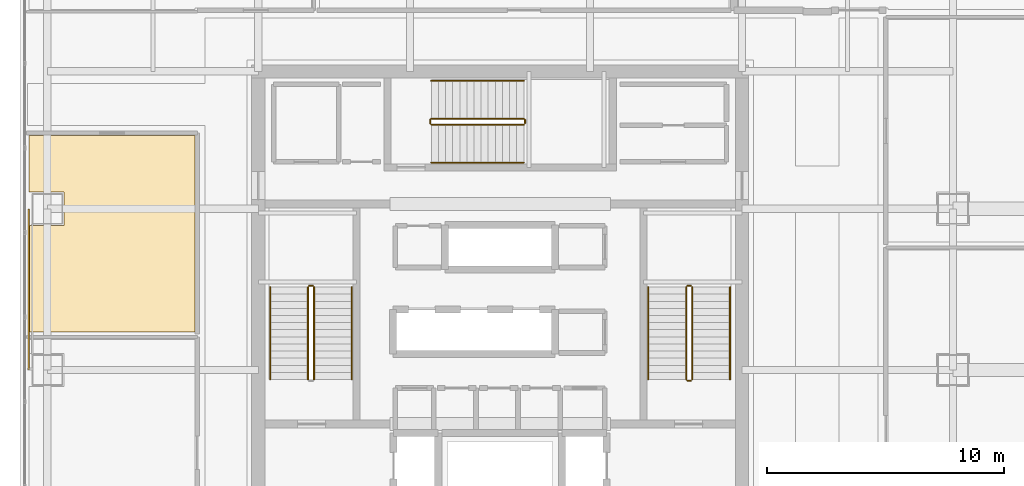
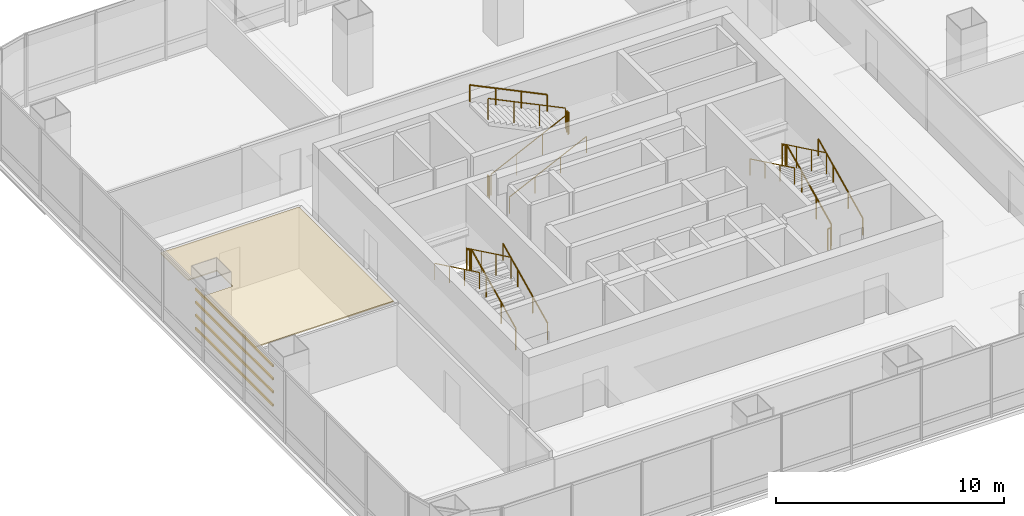
# One storey, part 39 of 40: 17 railings, 4 shading devices, 1 covering.
"""IFC4 building model written with IfcOpenShell, lengths in metres."""

from ifc_helpers import new_model, si_unit, direction, frame, origin, origin_2d, place, context, subcontext, project, spatial, polyline, hollow_rectangle, circle, outline, extrude, material, layer, layer_set, material_profile, profile_set, type_object, element, save


model = new_model("IFC4")

# Units and contexts
model_context = context("Model", 3, precision=1e-05, world=origin(), true_north=direction((0.0, 1.0)))
body_context = subcontext(model_context, "Body", "Model", "MODEL_VIEW")
ifc_project = project(units=[si_unit("LENGTHUNIT", "METRE"), si_unit("AREAUNIT", "SQUARE_METRE"), si_unit("VOLUMEUNIT", "CUBIC_METRE"), si_unit("PLANEANGLEUNIT", "RADIAN"), si_unit("MASSUNIT", "GRAM", prefix="KILO")], contexts=[model_context])

# Site, building, storey
site_placement = place(None, origin())
site = spatial("IfcSite", under=ifc_project, at=site_placement, CompositionType="ELEMENT")
building_placement = place(site_placement, origin())
building = spatial("IfcBuilding", under=site, at=building_placement, Name="Punatoya Terracotta Tower", CompositionType="ELEMENT")
storey_placement = place(building_placement, frame((0.0, 0.0, 271.64990234375)))
storey = spatial("IfcBuildingStorey", under=building, at=storey_placement, Name="L64", CompositionType="ELEMENT", Elevation=271.64990234375)

# Covering
ifc_material_1 = material(Name="Acoustic Mineral Fibre Ceiling")
ifc_layer = layer(ifc_material_1, 0.06005859375)
ifc_layer_set = layer_set([ifc_layer], Name="Acoustic Mineral Fibre Ceiling")
covering_type = type_object("IfcCoveringType", Name="COV-CEIL-60", PredefinedType="CEILING", material=ifc_layer_set)
covering_placement = place(storey_placement, frame((0.0, 0.0, 3.239990234375)))
element("IfcCovering", 1, at=covering_placement, inside=storey, type_object=covering_type, Name="L64 Open-Plan Nutrition Tea Pantry Acoustic Ceiling", PredefinedType="CEILING", context=body_context, shape_type="SweptSolid", body=[
    extrude(outline(polyline([(-19.8701171875, 2.699951171875), (-19.8701171875, -1.7900390625), (-12.8701171875, -1.7900390625), (-12.8701171875, 6.5), (-19.8701171875, 6.5), (-19.8701171875, 4.10009765625), (-18.39990234375, 4.10009765625), (-18.39990234375, 2.699951171875), (-19.8701171875, 2.699951171875)])), origin(), (0.0, 0.0, 1.0), 0.06005859375),
])

# Railings
ifc_material_2 = material(Name="Steel S355", Category="steel")
railing_type_1 = type_object("IfcRailingType", Name="RLG-GRD-1150", PredefinedType="GUARDRAIL", material=ifc_material_2)
railing_1_placement = place(storey_placement, frame((-7.85009765625, -3.800048828125, 0.144775390625)))
element("IfcRailing", 2, at=railing_1_placement, inside=storey, type_object=railing_type_1, Name="L64 ST-1 stair guard 1", PredefinedType="GUARDRAIL", context=body_context, shape_type="SweptSolid", body=[
    extrude(circle(Radius=0.02392578125, at=origin_2d()), frame((0.0, 0.0, 1.1259765625), z_axis=(0.0, 0.900773802044, 0.434288564841), x_axis=(-1.0, 0.0, 0.0)), (0.0, 0.0, 1.0), 4.329833984375),
    extrude(circle(Radius=0.02099609375, at=origin_2d()), origin(), (0.0, 0.0, 1.0), 1.101806640625),
    extrude(circle(Radius=0.02099609375, at=origin_2d()), frame((0.0, 1.300048828125, 0.626708984375)), (0.0, 0.0, 1.0), 1.101806640625),
    extrude(circle(Radius=0.02099609375, at=origin_2d()), frame((0.0, 2.60009765625, 1.253662109375)), (0.0, 0.0, 1.0), 1.101806640625),
    extrude(circle(Radius=0.02099609375, at=origin_2d()), frame((0.0, 3.900146484375, 1.88037109375)), (0.0, 0.0, 1.0), 1.101806640625),
])
railing_2_placement = place(storey_placement, frame((-7.89990234375, 0.14990234375, 2.025146484375)))
element("IfcRailing", 3, at=railing_2_placement, inside=storey, type_object=railing_type_1, Name="L64 ST-1 stair guard 2", PredefinedType="GUARDRAIL", context=body_context, shape_type="SweptSolid", body=[
    extrude(circle(Radius=0.02392578125, at=origin_2d()), frame((0.0, 0.0, 1.1259765625), z_axis=(-1.0, 0.0, 0.0), x_axis=(0.0, -1.0, 0.0)), (0.0, 0.0, 1.0), 0.150146484375),
    extrude(circle(Radius=0.02099609375, at=origin_2d()), origin(), (0.0, 0.0, 1.0), 1.101806640625),
    extrude(circle(Radius=0.02099609375, at=origin_2d()), frame((-0.150146484375, 0.0, 0.0)), (0.0, 0.0, 1.0), 1.101806640625),
])
railing_3_placement = place(storey_placement, frame((-8.10009765625, 0.10009765625, 2.169677734375)))
element("IfcRailing", 4, at=railing_3_placement, inside=storey, type_object=railing_type_1, Name="L64 ST-1 stair guard 3", PredefinedType="GUARDRAIL", context=body_context, shape_type="SweptSolid", body=[
    extrude(circle(Radius=0.02392578125, at=origin_2d()), frame((0.0, 0.0, 1.1259765625), z_axis=(0.0, -0.900773802044, 0.434288564841), x_axis=(1.0, 0.0, 0.0)), (0.0, 0.0, 1.0), 4.329833984375),
    extrude(circle(Radius=0.02099609375, at=origin_2d()), origin(), (0.0, 0.0, 1.0), 1.101806640625),
    extrude(circle(Radius=0.02099609375, at=origin_2d()), frame((0.0, -1.300048828125, 0.626708984375)), (0.0, 0.0, 1.0), 1.101806640625),
    extrude(circle(Radius=0.02099609375, at=origin_2d()), frame((0.0, -2.60009765625, 1.253662109375)), (0.0, 0.0, 1.0), 1.101806640625),
    extrude(circle(Radius=0.02099609375, at=origin_2d()), frame((0.0, -3.900146484375, 1.88037109375)), (0.0, 0.0, 1.0), 1.101806640625),
])
railing_4_placement = place(storey_placement, frame((8.10009765625, -3.800048828125, 0.144775390625)))
element("IfcRailing", 5, at=railing_4_placement, inside=storey, type_object=railing_type_1, Name="L64 ST-2 stair guard 1", PredefinedType="GUARDRAIL", context=body_context, shape_type="SweptSolid", body=[
    extrude(circle(Radius=0.02392578125, at=origin_2d()), frame((0.0, 0.0, 1.1259765625), z_axis=(0.0, 0.900773802044, 0.434288564841), x_axis=(-1.0, 0.0, 0.0)), (0.0, 0.0, 1.0), 4.329833984375),
    extrude(circle(Radius=0.02099609375, at=origin_2d()), origin(), (0.0, 0.0, 1.0), 1.101806640625),
    extrude(circle(Radius=0.02099609375, at=origin_2d()), frame((0.0, 1.300048828125, 0.626708984375)), (0.0, 0.0, 1.0), 1.101806640625),
    extrude(circle(Radius=0.02099609375, at=origin_2d()), frame((0.0, 2.60009765625, 1.253662109375)), (0.0, 0.0, 1.0), 1.101806640625),
    extrude(circle(Radius=0.02099609375, at=origin_2d()), frame((0.0, 3.900146484375, 1.88037109375)), (0.0, 0.0, 1.0), 1.101806640625),
])
railing_5_placement = place(storey_placement, frame((8.050048828125, 0.14990234375, 2.025146484375)))
element("IfcRailing", 6, at=railing_5_placement, inside=storey, type_object=railing_type_1, Name="L64 ST-2 stair guard 2", PredefinedType="GUARDRAIL", context=body_context, shape_type="SweptSolid", body=[
    extrude(circle(Radius=0.02392578125, at=origin_2d()), frame((0.0, 0.0, 1.1259765625), z_axis=(-1.0, 0.0, 0.0), x_axis=(0.0, -1.0, 0.0)), (0.0, 0.0, 1.0), 0.150146484375),
    extrude(circle(Radius=0.02099609375, at=origin_2d()), origin(), (0.0, 0.0, 1.0), 1.101806640625),
    extrude(circle(Radius=0.02099609375, at=origin_2d()), frame((-0.150146484375, 0.0, 0.0)), (0.0, 0.0, 1.0), 1.101806640625),
])
railing_6_placement = place(storey_placement, frame((7.85009765625, 0.10009765625, 2.169677734375)))
element("IfcRailing", 7, at=railing_6_placement, inside=storey, type_object=railing_type_1, Name="L64 ST-2 stair guard 3", PredefinedType="GUARDRAIL", context=body_context, shape_type="SweptSolid", body=[
    extrude(circle(Radius=0.02392578125, at=origin_2d()), frame((0.0, 0.0, 1.1259765625), z_axis=(0.0, -0.900773802044, 0.434288564841), x_axis=(1.0, 0.0, 0.0)), (0.0, 0.0, 1.0), 4.329833984375),
    extrude(circle(Radius=0.02099609375, at=origin_2d()), origin(), (0.0, 0.0, 1.0), 1.101806640625),
    extrude(circle(Radius=0.02099609375, at=origin_2d()), frame((0.0, -1.300048828125, 0.626708984375)), (0.0, 0.0, 1.0), 1.101806640625),
    extrude(circle(Radius=0.02099609375, at=origin_2d()), frame((0.0, -2.60009765625, 1.253662109375)), (0.0, 0.0, 1.0), 1.101806640625),
    extrude(circle(Radius=0.02099609375, at=origin_2d()), frame((0.0, -3.900146484375, 1.88037109375)), (0.0, 0.0, 1.0), 1.101806640625),
])
railing_7_placement = place(storey_placement, frame((8.050048828125, -3.85009765625, 0.0)))
element("IfcRailing", 8, at=railing_7_placement, inside=storey, type_object=railing_type_1, Name="L64 ST-2 stair guard 4", PredefinedType="GUARDRAIL", context=body_context, shape_type="SweptSolid", body=[
    extrude(circle(Radius=0.02392578125, at=origin_2d()), frame((0.0, 0.0, 1.1259765625), z_axis=(-1.0, 0.0, 0.0), x_axis=(0.0, -1.0, 0.0)), (0.0, 0.0, 1.0), 0.150146484375),
    extrude(circle(Radius=0.02099609375, at=origin_2d()), origin(), (0.0, 0.0, 1.0), 1.101806640625),
    extrude(circle(Radius=0.02099609375, at=origin_2d()), frame((-0.150146484375, 0.0, 0.0)), (0.0, 0.0, 1.0), 1.101806640625),
])
railing_8_placement = place(storey_placement, frame((-2.89990234375, 6.949951171875, 0.144775390625)))
element("IfcRailing", 9, at=railing_8_placement, inside=storey, type_object=railing_type_1, Name="L64 ST-3 stair guard 1", PredefinedType="GUARDRAIL", context=body_context, shape_type="SweptSolid", body=[
    extrude(circle(Radius=0.02392578125, at=origin_2d()), frame((0.0, 0.0, 1.1259765625), z_axis=(0.900763166376, 0.0, 0.434310623978), x_axis=(0.0, 1.0, 0.0)), (0.0, 0.0, 1.0), 4.32958984375),
    extrude(circle(Radius=0.02099609375, at=origin_2d()), origin(), (0.0, 0.0, 1.0), 1.101806640625),
    extrude(circle(Radius=0.02099609375, at=origin_2d()), frame((1.300048828125, 0.0, 0.626708984375)), (0.0, 0.0, 1.0), 1.101806640625),
    extrude(circle(Radius=0.02099609375, at=origin_2d()), frame((2.599853515625, 0.0, 1.253662109375)), (0.0, 0.0, 1.0), 1.101806640625),
    extrude(circle(Radius=0.02099609375, at=origin_2d()), frame((3.89990234375, 0.0, 1.88037109375)), (0.0, 0.0, 1.0), 1.101806640625),
])
railing_9_placement = place(storey_placement, frame((1.050048828125, 7.0, 2.025146484375)))
element("IfcRailing", 10, at=railing_9_placement, inside=storey, type_object=railing_type_1, Name="L64 ST-3 stair guard 2", PredefinedType="GUARDRAIL", context=body_context, shape_type="SweptSolid", body=[
    extrude(circle(Radius=0.02392578125, at=origin_2d()), frame((0.0, 0.0, 1.1259765625), z_axis=(0.0, 1.0, 0.0), x_axis=(-1.0, 0.0, 0.0)), (0.0, 0.0, 1.0), 0.14990234375),
    extrude(circle(Radius=0.02099609375, at=origin_2d()), origin(), (0.0, 0.0, 1.0), 1.101806640625),
    extrude(circle(Radius=0.02099609375, at=origin_2d()), frame((0.0, 0.14990234375, 0.0)), (0.0, 0.0, 1.0), 1.101806640625),
])
railing_10_placement = place(storey_placement, frame((1.0, 7.199951171875, 2.169677734375)))
element("IfcRailing", 11, at=railing_10_placement, inside=storey, type_object=railing_type_1, Name="L64 ST-3 stair guard 3", PredefinedType="GUARDRAIL", context=body_context, shape_type="SweptSolid", body=[
    extrude(circle(Radius=0.02392578125, at=origin_2d()), frame((0.0, 0.0, 1.1259765625), z_axis=(-0.900763166376, 0.0, 0.434310623978), x_axis=(0.0, -1.0, 0.0)), (0.0, 0.0, 1.0), 4.32958984375),
    extrude(circle(Radius=0.02099609375, at=origin_2d()), origin(), (0.0, 0.0, 1.0), 1.101806640625),
    extrude(circle(Radius=0.02099609375, at=origin_2d()), frame((-1.300048828125, 0.0, 0.626708984375)), (0.0, 0.0, 1.0), 1.101806640625),
    extrude(circle(Radius=0.02099609375, at=origin_2d()), frame((-2.599853515625, 0.0, 1.253662109375)), (0.0, 0.0, 1.0), 1.101806640625),
    extrude(circle(Radius=0.02099609375, at=origin_2d()), frame((-3.89990234375, 0.0, 1.88037109375)), (0.0, 0.0, 1.0), 1.101806640625),
])
railing_11_placement = place(storey_placement, frame((-2.949951171875, 7.0, 0.0)))
element("IfcRailing", 12, at=railing_11_placement, inside=storey, type_object=railing_type_1, Name="L64 ST-3 stair guard 4", PredefinedType="GUARDRAIL", context=body_context, shape_type="SweptSolid", body=[
    extrude(circle(Radius=0.02392578125, at=origin_2d()), frame((0.0, 0.0, 1.1259765625), z_axis=(0.0, 1.0, 0.0), x_axis=(-1.0, 0.0, 0.0)), (0.0, 0.0, 1.0), 0.14990234375),
    extrude(circle(Radius=0.02099609375, at=origin_2d()), origin(), (0.0, 0.0, 1.0), 1.101806640625),
    extrude(circle(Radius=0.02099609375, at=origin_2d()), frame((0.0, 0.14990234375, 0.0)), (0.0, 0.0, 1.0), 1.101806640625),
])
railing_type_2 = type_object("IfcRailingType", Name="RLG-HND-900", PredefinedType="HANDRAIL", material=ifc_material_2)
railing_12_placement = place(storey_placement, frame((-6.25, -3.800048828125, 0.144775390625)))
element("IfcRailing", 13, at=railing_12_placement, inside=storey, type_object=railing_type_2, Name="L64 ST-1 stair handrail 1", PredefinedType="HANDRAIL", context=body_context, shape_type="SweptSolid", body=[
    extrude(circle(Radius=0.02392578125, at=origin_2d()), frame((0.0, 0.0, 0.8759765625), z_axis=(0.0, 0.900773802044, 0.434288564841), x_axis=(-1.0, 0.0, 0.0)), (0.0, 0.0, 1.0), 4.329833984375),
    extrude(circle(Radius=0.02099609375, at=origin_2d()), origin(), (0.0, 0.0, 1.0), 0.851806640625),
    extrude(circle(Radius=0.02099609375, at=origin_2d()), frame((0.0, 1.300048828125, 0.626708984375)), (0.0, 0.0, 1.0), 0.851806640625),
    extrude(circle(Radius=0.02099609375, at=origin_2d()), frame((0.0, 2.60009765625, 1.253662109375)), (0.0, 0.0, 1.0), 0.851806640625),
    extrude(circle(Radius=0.02099609375, at=origin_2d()), frame((0.0, 3.900146484375, 1.88037109375)), (0.0, 0.0, 1.0), 0.851806640625),
])
railing_13_placement = place(storey_placement, frame((-9.699951171875, 0.10009765625, 2.169677734375)))
element("IfcRailing", 14, at=railing_13_placement, inside=storey, type_object=railing_type_2, Name="L64 ST-1 stair handrail 2", PredefinedType="HANDRAIL", context=body_context, shape_type="SweptSolid", body=[
    extrude(circle(Radius=0.02392578125, at=origin_2d()), frame((0.0, 0.0, 0.8759765625), z_axis=(0.0, -0.900773802044, 0.434288564841), x_axis=(1.0, 0.0, 0.0)), (0.0, 0.0, 1.0), 4.329833984375),
    extrude(circle(Radius=0.02099609375, at=origin_2d()), origin(), (0.0, 0.0, 1.0), 0.851806640625),
    extrude(circle(Radius=0.02099609375, at=origin_2d()), frame((0.0, -1.300048828125, 0.626708984375)), (0.0, 0.0, 1.0), 0.851806640625),
    extrude(circle(Radius=0.02099609375, at=origin_2d()), frame((0.0, -2.60009765625, 1.253662109375)), (0.0, 0.0, 1.0), 0.851806640625),
    extrude(circle(Radius=0.02099609375, at=origin_2d()), frame((0.0, -3.900146484375, 1.88037109375)), (0.0, 0.0, 1.0), 0.851806640625),
])
railing_14_placement = place(storey_placement, frame((9.699951171875, -3.800048828125, 0.144775390625)))
element("IfcRailing", 15, at=railing_14_placement, inside=storey, type_object=railing_type_2, Name="L64 ST-2 stair handrail 1", PredefinedType="HANDRAIL", context=body_context, shape_type="SweptSolid", body=[
    extrude(circle(Radius=0.02392578125, at=origin_2d()), frame((0.0, 0.0, 0.8759765625), z_axis=(0.0, 0.900773802044, 0.434288564841), x_axis=(-1.0, 0.0, 0.0)), (0.0, 0.0, 1.0), 4.329833984375),
    extrude(circle(Radius=0.02099609375, at=origin_2d()), origin(), (0.0, 0.0, 1.0), 0.851806640625),
    extrude(circle(Radius=0.02099609375, at=origin_2d()), frame((0.0, 1.300048828125, 0.626708984375)), (0.0, 0.0, 1.0), 0.851806640625),
    extrude(circle(Radius=0.02099609375, at=origin_2d()), frame((0.0, 2.60009765625, 1.253662109375)), (0.0, 0.0, 1.0), 0.851806640625),
    extrude(circle(Radius=0.02099609375, at=origin_2d()), frame((0.0, 3.900146484375, 1.88037109375)), (0.0, 0.0, 1.0), 0.851806640625),
])
railing_15_placement = place(storey_placement, frame((6.25, 0.10009765625, 2.169677734375)))
element("IfcRailing", 16, at=railing_15_placement, inside=storey, type_object=railing_type_2, Name="L64 ST-2 stair handrail 2", PredefinedType="HANDRAIL", context=body_context, shape_type="SweptSolid", body=[
    extrude(circle(Radius=0.02392578125, at=origin_2d()), frame((0.0, 0.0, 0.8759765625), z_axis=(0.0, -0.900773802044, 0.434288564841), x_axis=(1.0, 0.0, 0.0)), (0.0, 0.0, 1.0), 4.329833984375),
    extrude(circle(Radius=0.02099609375, at=origin_2d()), origin(), (0.0, 0.0, 1.0), 0.851806640625),
    extrude(circle(Radius=0.02099609375, at=origin_2d()), frame((0.0, -1.300048828125, 0.626708984375)), (0.0, 0.0, 1.0), 0.851806640625),
    extrude(circle(Radius=0.02099609375, at=origin_2d()), frame((0.0, -2.60009765625, 1.253662109375)), (0.0, 0.0, 1.0), 0.851806640625),
    extrude(circle(Radius=0.02099609375, at=origin_2d()), frame((0.0, -3.900146484375, 1.88037109375)), (0.0, 0.0, 1.0), 0.851806640625),
])
railing_16_placement = place(storey_placement, frame((-2.89990234375, 5.35009765625, 0.144775390625)))
element("IfcRailing", 17, at=railing_16_placement, inside=storey, type_object=railing_type_2, Name="L64 ST-3 stair handrail 1", PredefinedType="HANDRAIL", context=body_context, shape_type="SweptSolid", body=[
    extrude(circle(Radius=0.02392578125, at=origin_2d()), frame((0.0, 0.0, 0.8759765625), z_axis=(0.900763166376, 0.0, 0.434310623978), x_axis=(0.0, 1.0, 0.0)), (0.0, 0.0, 1.0), 4.32958984375),
    extrude(circle(Radius=0.02099609375, at=origin_2d()), origin(), (0.0, 0.0, 1.0), 0.851806640625),
    extrude(circle(Radius=0.02099609375, at=origin_2d()), frame((1.300048828125, 0.0, 0.626708984375)), (0.0, 0.0, 1.0), 0.851806640625),
    extrude(circle(Radius=0.02099609375, at=origin_2d()), frame((2.599853515625, 0.0, 1.253662109375)), (0.0, 0.0, 1.0), 0.851806640625),
    extrude(circle(Radius=0.02099609375, at=origin_2d()), frame((3.89990234375, 0.0, 1.88037109375)), (0.0, 0.0, 1.0), 0.851806640625),
])
railing_17_placement = place(storey_placement, frame((1.0, 8.800048828125, 2.169677734375)))
element("IfcRailing", 18, at=railing_17_placement, inside=storey, type_object=railing_type_2, Name="L64 ST-3 stair handrail 2", PredefinedType="HANDRAIL", context=body_context, shape_type="SweptSolid", body=[
    extrude(circle(Radius=0.02392578125, at=origin_2d()), frame((0.0, 0.0, 0.8759765625), z_axis=(-0.900763166376, 0.0, 0.434310623978), x_axis=(0.0, -1.0, 0.0)), (0.0, 0.0, 1.0), 4.32958984375),
    extrude(circle(Radius=0.02099609375, at=origin_2d()), origin(), (0.0, 0.0, 1.0), 0.851806640625),
    extrude(circle(Radius=0.02099609375, at=origin_2d()), frame((-1.300048828125, 0.0, 0.626708984375)), (0.0, 0.0, 1.0), 0.851806640625),
    extrude(circle(Radius=0.02099609375, at=origin_2d()), frame((-2.599853515625, 0.0, 1.253662109375)), (0.0, 0.0, 1.0), 0.851806640625),
    extrude(circle(Radius=0.02099609375, at=origin_2d()), frame((-3.89990234375, 0.0, 1.88037109375)), (0.0, 0.0, 1.0), 0.851806640625),
])

# Shading devices
ifc_material_3 = material(Name="Architectural Fired Terracotta", Category="masonry")
ifc_material_profile = material_profile(ifc_material_3, hollow_rectangle(XDim=0.06494140625, YDim=0.1201171875, WallThickness=0.014892578125, at=origin_2d()))
ifc_profile_set = profile_set([ifc_material_profile], Name="Architectural Fired Terracotta")
shading_device_type = type_object("IfcShadingDeviceType", Name="SHD-BAG-120", PredefinedType="USERDEFINED", material=ifc_profile_set)
for number, where, z_axis, x_axis, name in (
    (19, (-19.889892578125, -3.39990234375, 1.150146484375), (0.0, 1.0, 0.0), (-1.0, 0.0, 0.0), "L64 Fired Terracotta Baguette Louvre BAG-L64-W-01"),
    (20, (-19.889892578125, -3.39990234375, 1.85009765625), (0.0, 1.0, 0.0), (-1.0, 0.0, 0.0), "L64 Fired Terracotta Baguette Louvre BAG-L64-W-02"),
    (21, (-19.889892578125, -3.39990234375, 2.550048828125), (0.0, 1.0, 0.0), (-1.0, 0.0, 0.0), "L64 Fired Terracotta Baguette Louvre BAG-L64-W-03"),
    (22, (-19.889892578125, -3.39990234375, 3.25), (0.0, 1.0, 0.0), (-1.0, 0.0, 0.0), "L64 Fired Terracotta Baguette Louvre BAG-L64-W-04"),
):
    element("IfcShadingDevice", number, at=place(storey_placement, frame(where, z_axis=z_axis, x_axis=x_axis)), inside=storey, type_object=shading_device_type, Name=name, ObjectType="BAGUETTE", PredefinedType="USERDEFINED", context=body_context, shape_type="SweptSolid", body=[
        extrude(hollow_rectangle(XDim=0.06494140625, YDim=0.1201171875, WallThickness=0.014892578125, at=origin_2d()), origin(), (0.0, 0.0, 1.0), 6.7998046875),
    ])

save(model, "model.ifc")
